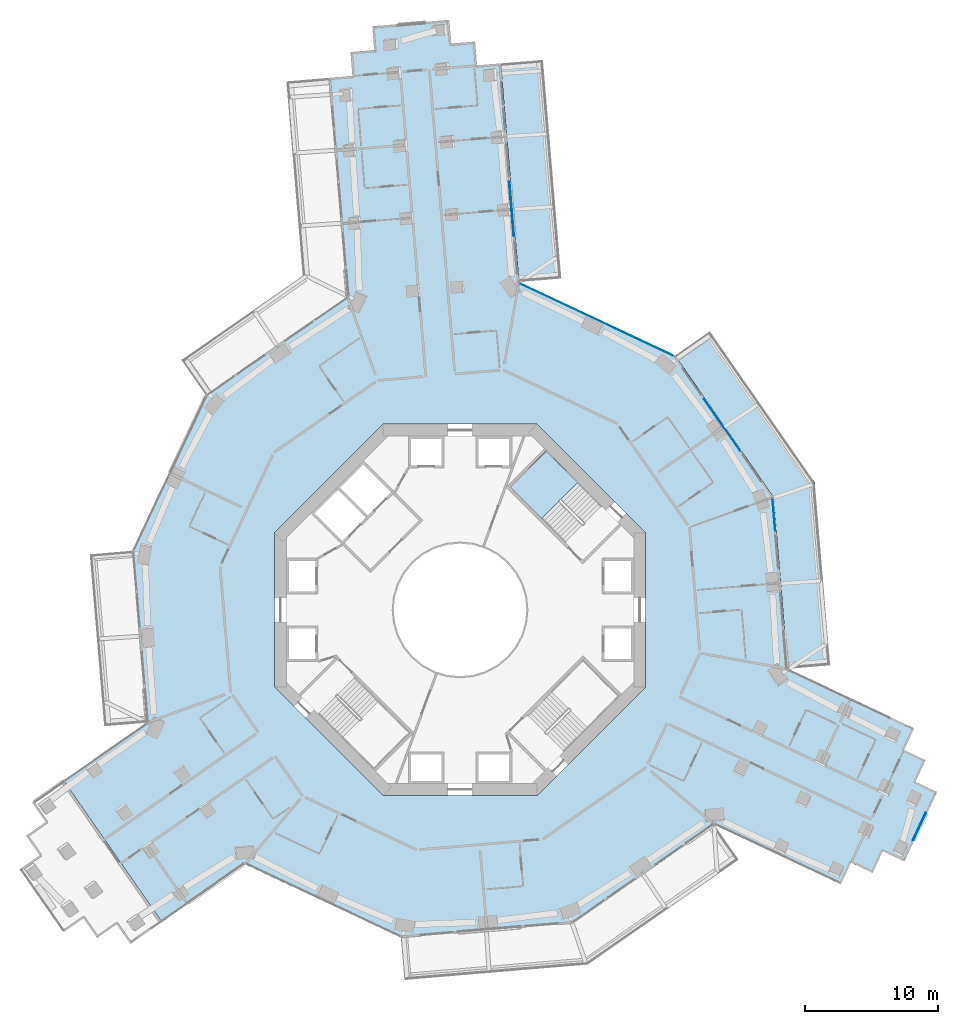
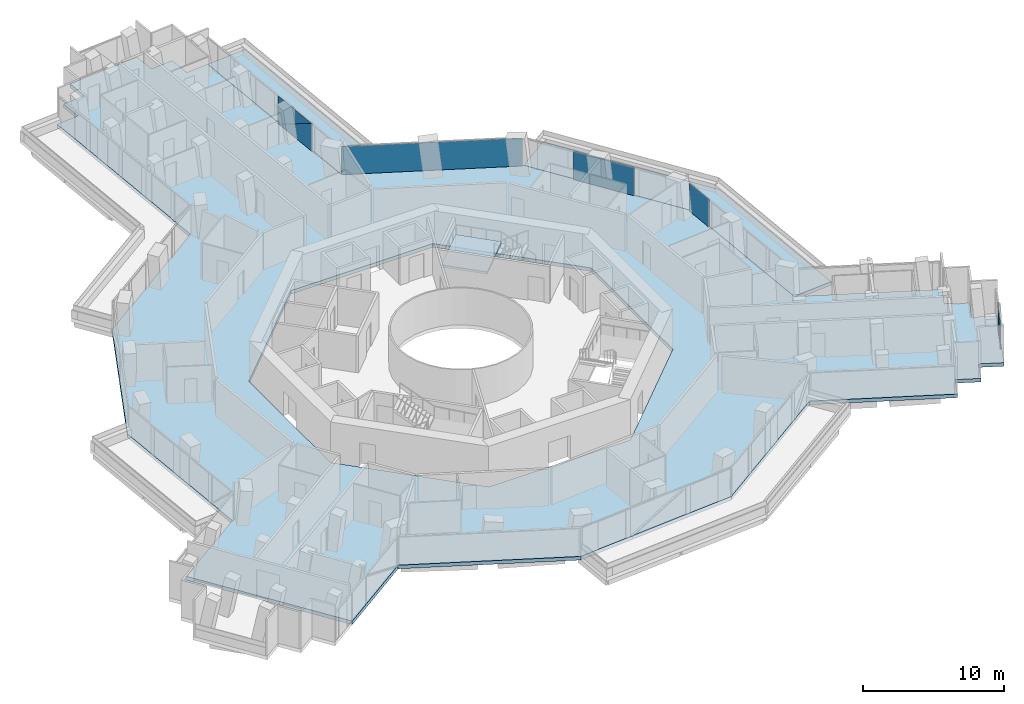
# One storey, part 16 of 26: 7 plates, 4 slabs, 6 elements without a shape of their own.
"""IFC4 building model written with IfcOpenShell, lengths in metres."""

import ifcopenshell
import ifcopenshell.guid

model = None  # the IFC model being written
_history = None  # IfcOwnerHistory: only IFC2X3 demands one
_inside = {}  # id of a spatial element -> (the spatial element, [elements in it])
_under = {}  # id of a project, library or spatial element -> (it, [spatial elements below it])
_declared = {}  # id of a project -> (the project, [libraries it declares])
_typed = {}  # id of a type object -> (the type object, [elements of that type])
_made_of = {}  # id of a material, layer set ... -> (it, [elements and type objects made of it])


def new_model(schema):
    """Start an empty IFC model of exactly this schema.

    Asked for "IFC4X3", IfcOpenShell would pick the latest addendum, in which some entities
    have other attributes; the version numbers below select the first issue.
    IFC2X3 requires an IfcOwnerHistory on every rooted entity: one is made here for all.
    """
    global model, _history
    if schema == "IFC4X3":
        model = ifcopenshell.file(schema_version=(4, 3, 0, 0))
    else:
        model = ifcopenshell.file(schema=schema)
    _inside.clear()
    _under.clear()
    _declared.clear()
    _typed.clear()
    _made_of.clear()
    _history = None
    if model.schema == "IFC2X3":
        org = make("IfcOrganization", Name="unknown")
        user = make(
            "IfcPersonAndOrganization",
            ThePerson=make("IfcPerson", FamilyName="unknown"),
            TheOrganization=org,
        )
        app = make(
            "IfcApplication",
            ApplicationDeveloper=org,
            Version="unknown",
            ApplicationFullName="unknown",
            ApplicationIdentifier="unknown",
        )
        _history = make(
            "IfcOwnerHistory",
            OwningUser=user,
            OwningApplication=app,
            ChangeAction="ADDED",
            CreationDate=0,
        )
    return model


def make(cls, **values):
    """One entity of the class cls with the attributes given. An attribute that is None is left unset."""
    return model.create_entity(
        cls, **{name: value for name, value in values.items() if value is not None}
    )


def rooted(cls, **values):
    """An entity with a GlobalId (a new one), such as an element, a storey or a relation."""
    return make(cls, GlobalId=ifcopenshell.guid.new(), OwnerHistory=_history, **values)


def si_unit(unit_type, name, prefix=None):
    """IfcSIUnit, for example si_unit("LENGTHUNIT", "METRE", prefix="MILLI")."""
    return make("IfcSIUnit", UnitType=unit_type, Prefix=prefix, Name=name)


def assignment(units):
    """IfcUnitAssignment: the units of a project."""
    return None if units is None else make("IfcUnitAssignment", Units=units)


def point(xyz):
    """IfcCartesianPoint."""
    return None if xyz is None else make("IfcCartesianPoint", Coordinates=xyz)


def direction(xyz):
    """IfcDirection."""
    return None if xyz is None else make("IfcDirection", DirectionRatios=xyz)


def frame(location, z_axis=None, x_axis=None):
    """IfcAxis2Placement3D, a coordinate frame: its origin and axes. An axis left out is left unset."""
    return make(
        "IfcAxis2Placement3D",
        Location=point(location),
        Axis=direction(z_axis),
        RefDirection=direction(x_axis),
    )


def frame_2d(location, x_axis=None):
    """IfcAxis2Placement2D, a coordinate frame in the plane: its origin and x axis."""
    return make(
        "IfcAxis2Placement2D", Location=point(location), RefDirection=direction(x_axis)
    )


def origin():
    """The frame at (0, 0, 0) with its axes left unset."""
    return frame((0.0, 0.0, 0.0))


def origin_2d():
    """The frame at (0, 0) in the plane with its x axis left unset."""
    return frame_2d((0.0, 0.0))


def place(relative_to, where):
    """IfcLocalPlacement: puts the frame where relative to a parent placement (None: the world)."""
    return make(
        "IfcLocalPlacement", PlacementRelTo=relative_to, RelativePlacement=where
    )


def context(
    kind, dimensions, precision=None, world=None, true_north=None, identifier=None
):
    """IfcGeometricRepresentationContext, for example the 3D "Model" context."""
    return make(
        "IfcGeometricRepresentationContext",
        ContextIdentifier=identifier,
        ContextType=kind,
        CoordinateSpaceDimension=dimensions,
        Precision=precision,
        WorldCoordinateSystem=world,
        TrueNorth=true_north,
    )


def subcontext(parent, identifier, kind, view, scale=None):
    """IfcGeometricRepresentationSubContext, for example "Body" below "Model"."""
    return make(
        "IfcGeometricRepresentationSubContext",
        ContextIdentifier=identifier,
        ContextType=kind,
        ParentContext=parent,
        TargetScale=scale,
        TargetView=view,
    )


def project(units=None, contexts=None):
    """IfcProject with its units and contexts."""
    return rooted(
        "IfcProject",
        Name="project",
        RepresentationContexts=contexts,
        UnitsInContext=assignment(units),
    )


def spatial(cls, under=None, at=None, **own):
    """A site, building, storey or space (cls), placed at a placement, below another one or the project."""
    s = rooted(cls, ObjectPlacement=at, **own)
    if under is not None:
        _under.setdefault(under.id(), (under, []))[1].append(s)
    return s


def polyline(points):
    """IfcPolyline through the points."""
    return make("IfcPolyline", Points=[point(p) for p in points])


def profile(cls, at=None, kind="AREA", **sizes):
    """A parametric profile (cls). Its sizes go by their IFC names, for example OverallWidth=200.0."""
    return make(cls, ProfileType=kind, Position=at, **sizes)


def rectangle(**sizes):
    """IfcRectangleProfileDef."""
    return profile("IfcRectangleProfileDef", **sizes)


def outline(outer, holes=None, kind="AREA"):
    """IfcArbitraryClosedProfileDef: a profile drawn as a closed curve; with holes, ...WithVoids."""
    if holes is None:
        return make("IfcArbitraryClosedProfileDef", ProfileType=kind, OuterCurve=outer)
    return make(
        "IfcArbitraryProfileDefWithVoids",
        ProfileType=kind,
        OuterCurve=outer,
        InnerCurves=holes,
    )


def extrude(swept, where, along, depth):
    """IfcExtrudedAreaSolid: the profile swept, set in the frame where, extruded along a direction by depth."""
    return make(
        "IfcExtrudedAreaSolid",
        SweptArea=swept,
        Position=where,
        ExtrudedDirection=direction(along),
        Depth=depth,
    )


def shape(context_of_items, identifier, shape_type, items):
    """IfcShapeRepresentation: the items that make up one representation, for example the "Body"."""
    return make(
        "IfcShapeRepresentation",
        ContextOfItems=context_of_items,
        RepresentationIdentifier=identifier,
        RepresentationType=shape_type,
        Items=items,
    )


def material(Name=None, Category=None):
    """IfcMaterial."""
    return make("IfcMaterial", Name=Name, Category=Category)


def layer(
    of_material, thickness, ventilated=None, Name=None, Category=None, Priority=None
):
    """IfcMaterialLayer: one layer of a wall or slab, of a material (None: an air gap)."""
    return make(
        "IfcMaterialLayer",
        Material=of_material,
        LayerThickness=thickness,
        IsVentilated=ventilated,
        Name=Name,
        Category=Category,
        Priority=Priority,
    )


def layer_set(layers, Name=None):
    """IfcMaterialLayerSet."""
    return make("IfcMaterialLayerSet", MaterialLayers=layers, LayerSetName=Name)


def made_of(thing, what):
    """Note that an element or type object is made of a material, layer set ...; save() writes the relation."""
    if what is not None:
        _made_of.setdefault(what.id(), (what, []))[1].append(thing)
    return thing


def type_object(cls, material=None, **own):
    """A type object (cls), such as IfcWallType, which elements share."""
    return made_of(rooted(cls, **own), material)


def element(
    cls,
    number,
    at=None,
    inside=None,
    cuts=None,
    type_object=None,
    material=None,
    context=None,
    identifier="Body",
    shape_type=None,
    held_by="IfcProductDefinitionShape",
    body=None,
    shapes=None,
    **own,
):
    """One element of the class cls, such as IfcWall. Its Tag is "e" and its number.

    at: its placement. inside: the storey or other place that contains it. cuts: it is an
    opening in that element (IfcRelVoidsElement). A single representation is given by context,
    identifier, shape_type and body (its items); several are given by shapes. held_by: the class
    of the entity that holds the representations. save() writes the other relations.
    """
    e = rooted(cls, Tag="e%d" % number, ObjectPlacement=at, **own)
    if body is not None:
        shapes = [shape(context, identifier, shape_type, body)]
    if shapes is not None:
        e.Representation = make(held_by, Representations=shapes)
    if inside is not None:
        _inside.setdefault(inside.id(), (inside, []))[1].append(e)
    if cuts is not None:
        rooted(
            "IfcRelVoidsElement", RelatingBuildingElement=cuts, RelatedOpeningElement=e
        )
    if type_object is not None:
        _typed.setdefault(type_object.id(), (type_object, []))[1].append(e)
    return made_of(e, material)


def aggregate(whole, parts):
    """IfcRelAggregates: a whole, such as a stair, and the parts it consists of."""
    return rooted("IfcRelAggregates", RelatingObject=whole, RelatedObjects=parts)


def save(model, path):
    """Write the relations noted so far, then the file.

    IfcRelAggregates (storeys below a building ...), IfcRelContainedInSpatialStructure (elements
    in a storey), IfcRelDefinesByType, IfcRelAssociatesMaterial and IfcRelDeclares: one each for
    every whole, place, type object, material and project.
    """
    for whole, parts in _under.values():
        aggregate(whole, parts)
    for where, things in _inside.values():
        rooted(
            "IfcRelContainedInSpatialStructure",
            RelatedElements=things,
            RelatingStructure=where,
        )
    for kind, things in _typed.values():
        rooted("IfcRelDefinesByType", RelatedObjects=things, RelatingType=kind)
    for what, things in _made_of.values():
        rooted("IfcRelAssociatesMaterial", RelatedObjects=things, RelatingMaterial=what)
    for by, libraries in _declared.values():
        rooted("IfcRelDeclares", RelatingContext=by, RelatedDefinitions=libraries)
    model.write(path)


model = new_model("IFC4")

# Units and contexts
model_context = context("Model", 3, precision=1e-05, world=origin(), true_north=direction((0.0, 1.0)))
body_context = subcontext(model_context, "Body", "Model", "MODEL_VIEW")
ifc_project = project(units=[si_unit("LENGTHUNIT", "METRE"), si_unit("AREAUNIT", "SQUARE_METRE"), si_unit("VOLUMEUNIT", "CUBIC_METRE"), si_unit("PLANEANGLEUNIT", "RADIAN"), si_unit("MASSUNIT", "GRAM", prefix="KILO")], contexts=[model_context])

# Site, building, storey
site_placement = place(None, origin())
site = spatial("IfcSite", under=ifc_project, at=site_placement, CompositionType="ELEMENT")
building_placement = place(site_placement, origin())
building = spatial("IfcBuilding", under=site, at=building_placement, Name="Verdalira Terraces Hotel", CompositionType="ELEMENT")
storey_placement = place(building_placement, frame((0.0, 0.0, 53.0)))
storey = spatial("IfcBuildingStorey", under=building, at=storey_placement, Name="L11", CompositionType="ELEMENT", Elevation=53.0)

# Slabs
ifc_material_1 = material(Name="Precast concrete C40/50", Category="concrete")
ifc_layer_1 = layer(ifc_material_1, 0.31005859375)
ifc_layer_set_1 = layer_set([ifc_layer_1], Name="Balcony deck 310")
slab_type_1 = type_object("IfcSlabType", Name="Balcony deck 310", PredefinedType="FLOOR", material=ifc_layer_set_1)
slab_1_placement = place(storey_placement, frame((0.0, 0.0, -0.310059)))
element("IfcSlab", 1, at=slab_1_placement, inside=storey, type_object=slab_type_1, Name="Balcony deck", PredefinedType="FLOOR", context=body_context, shape_type="SweptSolid", body=[
    extrude(outline(polyline([(18.837646, 21.008301), (16.209961, 19.182129), (23.629395, 8.50708), (24.717041, -4.447266), (27.906006, -4.179443), (26.746338, 9.629395), (18.837646, 21.008301)])), origin(), (0.0, 0.0, 1.0), 0.310059),
])
slab_2_placement = place(storey_placement, frame((0.0, 0.0, -0.310059)))
element("IfcSlab", 2, at=slab_2_placement, inside=storey, type_object=slab_type_1, Name="Balcony deck", PredefinedType="FLOOR", context=body_context, shape_type="SweptSolid", body=[
    extrude(outline(polyline([(6.252686, 41.459717), (3.063965, 41.191895), (4.447266, 24.717041), (7.635986, 24.984863), (6.252686, 41.459717)])), origin(), (0.0, 0.0, 1.0), 0.310059),
])

# Curtain wall, plate
ifc_material_2 = material(Name="Clear glass", Category="glass")
ifc_layer_2 = layer(ifc_material_2, 0.14990234375)
ifc_layer_set_2 = layer_set([ifc_layer_2], Name="CW1 curtain wall")
curtain_wall_type_1 = type_object("IfcCurtainWallType", Name="CW1 curtain wall", PredefinedType="NOTDEFINED", material=ifc_layer_set_2)
curtain_wall_1_placement = place(storey_placement, origin())
curtain_wall_1 = element("IfcCurtainWall", 3, at=curtain_wall_1_placement, inside=storey, type_object=curtain_wall_type_1, Name="CW1 curtain wall L11 edge 39", PredefinedType="NOTDEFINED")
ifc_material_3 = material(Name="Clear glass", Category="glass")
ifc_layer_3 = layer(ifc_material_3, 0.028076171875)
ifc_layer_set_3 = layer_set([ifc_layer_3], Name="CW1 glass unit 28")
plate_type_1 = type_object("IfcPlateType", Name="CW1 glass unit 28", PredefinedType="CURTAIN_PANEL", material=ifc_layer_set_3)
plate_1_placement = place(storey_placement, frame((23.665039, 7.185547, 0.0), z_axis=(0.0, 0.0, 1.0), x_axis=(-0.083677843, 0.996492859, 0.0)))
plate_1 = element("IfcPlate", 4, at=plate_1_placement, type_object=plate_type_1, Name="CW1 glass unit", PredefinedType="CURTAIN_PANEL", context=body_context, shape_type="SweptSolid", body=[
    extrude(rectangle(XDim=2.439209, YDim=0.028076, at=origin_2d()), origin(), (0.0, 0.0, 1.0), 2.425049),
])
aggregate(curtain_wall_1, [plate_1])

curtain_wall_2_placement = place(storey_placement, origin())
curtain_wall_2 = element("IfcCurtainWall", 5, at=curtain_wall_2_placement, inside=storey, type_object=curtain_wall_type_1, Name="CW1 curtain wall L11 edge 40", PredefinedType="NOTDEFINED")
plate_2_placement = place(storey_placement, frame((19.756348, 13.948242, 0.0), z_axis=(0.0, 0.0, 1.0), x_axis=(-0.570713568, 0.821149209, 0.0)))
plate_2 = element("IfcPlate", 6, at=plate_2_placement, type_object=plate_type_1, Name="CW1 glass unit", PredefinedType="CURTAIN_PANEL", context=body_context, shape_type="SweptSolid", body=[
    extrude(rectangle(XDim=4.759277, YDim=0.028076, at=origin_2d()), origin(), (0.0, 0.0, 1.0), 2.425049),
])
aggregate(curtain_wall_2, [plate_2])

curtain_wall_3_placement = place(storey_placement, origin())
curtain_wall_3 = element("IfcCurtainWall", 7, at=curtain_wall_3_placement, inside=storey, type_object=curtain_wall_type_1, Name="CW1 curtain wall L11 edge 41", PredefinedType="NOTDEFINED")
plate_3_placement = place(storey_placement, frame((10.278564, 21.890381, 0.0), z_axis=(0.0, 0.0, 1.0), x_axis=(-0.904827052, 0.425779292, 0.0)))
plate_3 = element("IfcPlate", 8, at=plate_3_placement, type_object=plate_type_1, Name="CW1 glass unit", PredefinedType="CURTAIN_PANEL", context=body_context, shape_type="SweptSolid", body=[
    extrude(rectangle(XDim=12.839844, YDim=0.028076, at=origin_2d()), origin(), (0.0, 0.0, 1.0), 2.425049),
])
aggregate(curtain_wall_3, [plate_3])

# Curtain wall, plates
ifc_material_4 = material(Name="Clear glass", Category="glass")
ifc_layer_4 = layer(ifc_material_4, 0.14990234375)
ifc_layer_set_4 = layer_set([ifc_layer_4], Name="CW2 curtain wall")
curtain_wall_type_2 = type_object("IfcCurtainWallType", Name="CW2 curtain wall", PredefinedType="NOTDEFINED", material=ifc_layer_set_4)
curtain_wall_4_placement = place(storey_placement, origin())
curtain_wall_4 = element("IfcCurtainWall", 9, at=curtain_wall_4_placement, inside=storey, type_object=curtain_wall_type_2, Name="CW2 curtain wall L11 edge 0", PredefinedType="NOTDEFINED")
ifc_material_5 = material(Name="Clear glass", Category="glass")
ifc_layer_5 = layer(ifc_material_5, 0.031982421875)
ifc_layer_set_5 = layer_set([ifc_layer_5], Name="CW2 glass unit 32")
plate_type_2 = type_object("IfcPlateType", Name="CW2 glass unit 32", PredefinedType="CURTAIN_PANEL", material=ifc_layer_set_5)
plate_4_placement = place(storey_placement, frame((3.893555, 30.225342, 1.212402), z_axis=(0.996492859, 0.083677843, 0.0), x_axis=(-0.083677843, 0.996492859, 0.0)))
plate_4 = element("IfcPlate", 10, at=plate_4_placement, type_object=plate_type_2, Name="CW2 glass unit", PredefinedType="CURTAIN_PANEL", context=body_context, shape_type="SweptSolid", body=[
    extrude(outline(polyline([(-2.063232, -1.212402), (2.063232, -1.212402), (-2.063232, 1.212402), (-2.063232, -1.212402)])), origin(), (0.0, 0.0, 1.0), 0.031982),
])
plate_5_placement = place(storey_placement, frame((3.860596, 30.222412, 1.212402), z_axis=(0.996492859, 0.083677843, 0.0), x_axis=(-0.083677843, 0.996492859, 0.0)))
plate_5 = element("IfcPlate", 11, at=plate_5_placement, type_object=plate_type_2, Name="CW2 glass unit", PredefinedType="CURTAIN_PANEL", context=body_context, shape_type="SweptSolid", body=[
    extrude(outline(polyline([(2.063232, -1.212402), (2.063232, 1.212402), (-2.063232, 1.212402), (2.063232, -1.212402)])), origin(), (0.0, 0.0, 1.0), 0.031982),
])
aggregate(curtain_wall_4, [plate_4, plate_5])

ifc_material_6 = material(Name="Clear glass", Category="glass")
ifc_layer_6 = layer(ifc_material_6, 0.14990234375)
ifc_layer_set_6 = layer_set([ifc_layer_6], Name="CW3 curtain wall")
curtain_wall_type_3 = type_object("IfcCurtainWallType", Name="CW3 curtain wall", PredefinedType="NOTDEFINED", material=ifc_layer_set_6)
curtain_wall_5_placement = place(storey_placement, origin())
curtain_wall_5 = element("IfcCurtainWall", 12, at=curtain_wall_5_placement, inside=storey, type_object=curtain_wall_type_3, Name="CW3 curtain wall L11 edge 33", PredefinedType="NOTDEFINED")
ifc_material_7 = material(Name="Clear glass", Category="glass")
ifc_layer_7 = layer(ifc_material_7, 0.035888671875)
ifc_layer_set_7 = layer_set([ifc_layer_7], Name="CW3 glass unit 36")
plate_type_3 = type_object("IfcPlateType", Name="CW3 glass unit 36", PredefinedType="CURTAIN_PANEL", material=ifc_layer_set_7)
plate_6_placement = place(storey_placement, frame((34.634277, -16.346191, 1.212402), z_axis=(0.904827052, -0.425779292, 0.0), x_axis=(0.425779292, 0.904827052, 0.0)))
plate_6 = element("IfcPlate", 13, at=plate_6_placement, type_object=plate_type_3, Name="CW3 glass unit", PredefinedType="CURTAIN_PANEL", context=body_context, shape_type="SweptSolid", body=[
    extrude(outline(polyline([(-1.133789, -1.212402), (1.133789, -1.212402), (1.133789, 1.212402), (-1.133789, -1.212402)])), origin(), (0.0, 0.0, 1.0), 0.035889),
])
plate_7_placement = place(storey_placement, frame((34.60083, -16.330322, 1.212402), z_axis=(0.904827052, -0.425779292, 0.0), x_axis=(0.425779292, 0.904827052, 0.0)))
plate_7 = element("IfcPlate", 14, at=plate_7_placement, type_object=plate_type_3, Name="CW3 glass unit", PredefinedType="CURTAIN_PANEL", context=body_context, shape_type="SweptSolid", body=[
    extrude(outline(polyline([(-1.133789, -1.212402), (1.133789, 1.212402), (-1.133789, 1.212402), (-1.133789, -1.212402)])), origin(), (0.0, 0.0, 1.0), 0.035889),
])
aggregate(curtain_wall_5, [plate_6, plate_7])

# Stair, slab
ifc_material_8 = material(Name="Concrete C40", Category="concrete")
stair_type = type_object("IfcStairType", Name="Core stair 20 risers 1900 mm wide", PredefinedType="HALF_TURN_STAIR", material=ifc_material_8)
stair_placement = place(storey_placement, origin())
stair = element("IfcStair", 15, at=stair_placement, inside=storey, type_object=stair_type, Name="L11 Exit stair ST1", PredefinedType="HALF_TURN_STAIR")
ifc_material_9 = material(Name="Concrete C40", Category="concrete")
ifc_layer_8 = layer(ifc_material_9, 0.199951171875)
ifc_layer_set_8 = layer_set([ifc_layer_8], Name="Core stair landing 200 mm")
slab_type_2 = type_object("IfcSlabType", Name="Core stair landing 200 mm", PredefinedType="LANDING", material=ifc_layer_set_8)
slab_3_placement = place(storey_placement, frame((0.0, 0.0, 1.550049)))
slab_3 = element("IfcSlab", 16, at=slab_3_placement, type_object=slab_type_2, Name="ST1 landing 1", PredefinedType="LANDING", context=body_context, shape_type="SweptSolid", body=[
    extrude(outline(polyline([(8.895752, 9.630371), (6.505371, 12.020752), (3.747559, 9.263184), (6.137939, 6.872803), (8.895752, 9.630371)])), origin(), (0.0, 0.0, 1.0), 0.199951),
])
aggregate(stair, [slab_3])

# Slab
ifc_material_10 = material(Name="Concrete C40", Category="concrete")
ifc_layer_9 = layer(ifc_material_10, 0.31005859375)
ifc_layer_set_9 = layer_set([ifc_layer_9], Name="Floor slab 310 C40")
slab_type_3 = type_object("IfcSlabType", Name="Floor slab 310 C40", PredefinedType="FLOOR", material=ifc_layer_set_9)
slab_4_placement = place(storey_placement, frame((0.0, 0.0, -0.310059)))
element("IfcSlab", 17, at=slab_4_placement, inside=storey, type_object=slab_type_3, Name="Floor slab L11", PredefinedType="FLOOR", context=body_context, shape_type="SweptSolid", body=[
    extrude(outline(polyline([(-24.717285, 4.447266), (-23.629395, -8.50708), (-29.896484, -12.862793), (-22.477295, -23.537842), (-16.210205, -19.181885), (-4.447266, -24.717285), (8.50708, -23.629395), (19.181885, -16.210205), (28.712402, -20.69458), (29.47876, -19.065918), (31.107422, -19.83252), (31.873779, -18.203613), (33.502441, -18.970215), (35.971924, -13.722168), (34.343262, -12.955811), (35.109619, -11.326904), (33.480957, -10.560547), (34.247314, -8.931885), (24.717285, -4.447266), (23.629395, 8.50708), (16.210205, 19.181885), (4.447266, 24.717285), (3.063965, 41.191895), (1.270264, 41.04126), (1.119629, 42.834961), (-0.674072, 42.684326), (-0.824707, 44.478027), (-6.604492, 43.992676), (-6.453857, 42.198975), (-8.247314, 42.04834), (-8.09668, 40.254639), (-9.890381, 40.104004), (-8.50708, 23.629395), (-19.181885, 16.210205), (-24.717285, 4.447266)]), holes=[polyline([(5.799072, 14.0), (14.0, 5.799072), (14.0, -5.799072), (5.799072, -14.0), (-5.799072, -14.0), (-14.0, -5.799072), (-14.0, 5.799072), (-5.799072, 14.0), (5.799072, 14.0)])]), origin(), (0.0, 0.0, 1.0), 0.310059),
])

save(model, "model.ifc")
